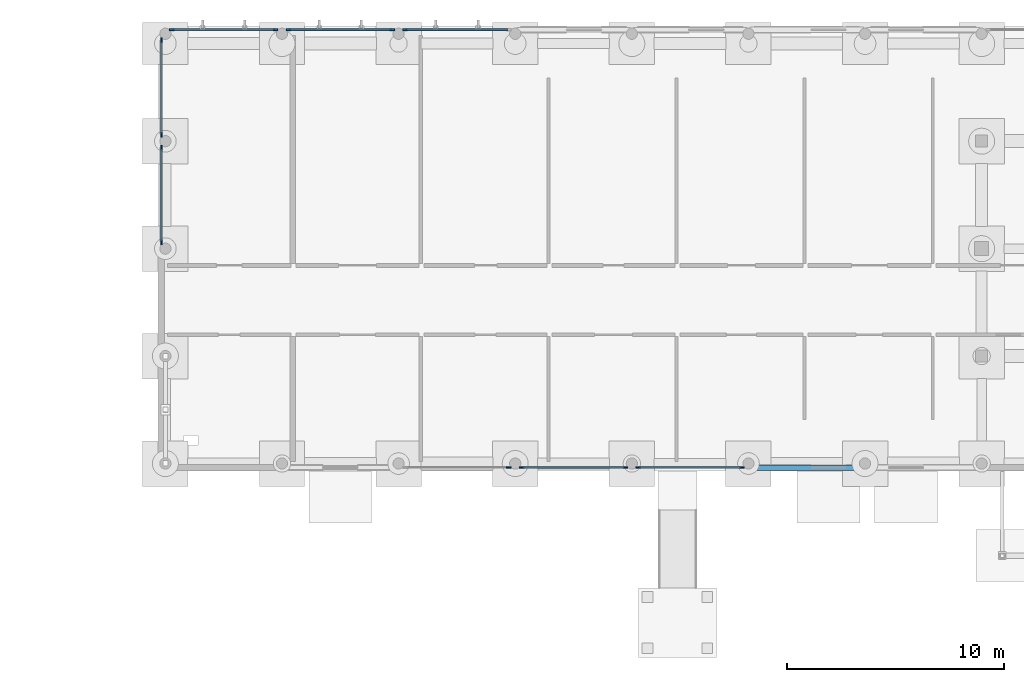
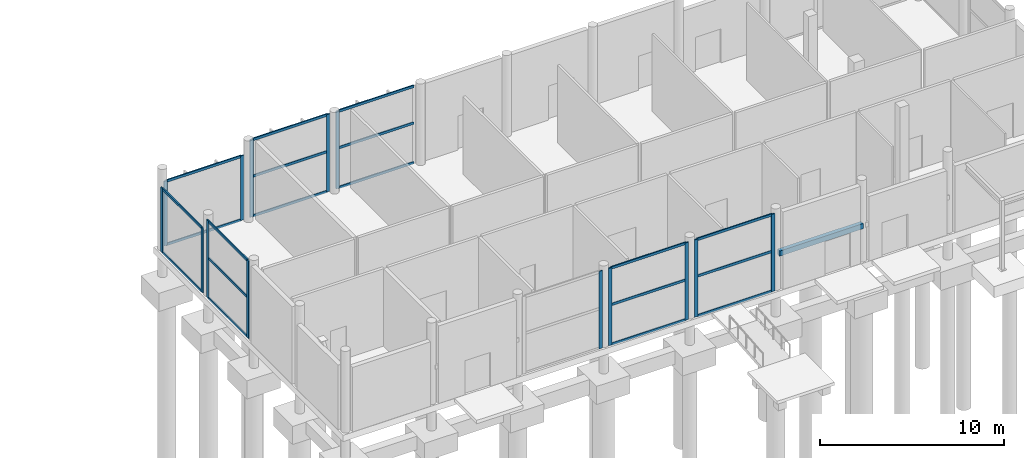
# One storey, part 35 of 88: 33 members, 1 beam, 8 elements without a shape of their own.
"""IFC4 building model written with IfcOpenShell, lengths in metres."""

from ifc_helpers import new_model, si_unit, direction, frame, origin, origin_2d, place, context, subcontext, project, spatial, rectangle, extrude, material, layer, layer_set, material_profile, profile_set, type_object, element, aggregate, save


model = new_model("IFC4")

# Units and contexts
model_context = context("Model", 3, precision=1e-05, world=origin(), true_north=direction((0.0, 1.0)))
body_context = subcontext(model_context, "Body", "Model", "MODEL_VIEW")
ifc_project = project(units=[si_unit("LENGTHUNIT", "METRE"), si_unit("AREAUNIT", "SQUARE_METRE"), si_unit("VOLUMEUNIT", "CUBIC_METRE"), si_unit("PLANEANGLEUNIT", "RADIAN"), si_unit("MASSUNIT", "GRAM", prefix="KILO")], contexts=[model_context])

# Site, building, storey
site_placement = place(None, origin())
site = spatial("IfcSite", under=ifc_project, at=site_placement, CompositionType="ELEMENT")
building_placement = place(site_placement, origin())
building = spatial("IfcBuilding", under=site, at=building_placement, Name="Birchvale Park Specialist Clinic", CompositionType="ELEMENT")
storey_placement = place(building_placement, origin())
storey = spatial("IfcBuildingStorey", under=building, at=storey_placement, Name="L00", CompositionType="ELEMENT", Elevation=0.0)

# Curtain wall, member
ifc_material_1 = material(Name="Thermally broken anodised aluminium", Category="aluminium")
ifc_layer = layer(ifc_material_1, 0.1650390625)
ifc_layer_set = layer_set([ifc_layer], Name="Thermally broken anodised aluminium")
curtain_wall_type = type_object("IfcCurtainWallType", Name="CW-S1", PredefinedType="USERDEFINED", material=ifc_layer_set)
curtain_wall_1_placement = place(storey_placement, origin())
curtain_wall_1 = element("IfcCurtainWall", 1, at=curtain_wall_1_placement, inside=storey, type_object=curtain_wall_type, Name="V3 L00 glazed curtain wall 33", ObjectType="STICK", PredefinedType="USERDEFINED")
ifc_material_profile_1 = material_profile(ifc_material_1, rectangle(XDim=0.074951171875, YDim=0.219970703125, at=origin_2d()), Name="CWM-75x220")
ifc_profile_set_1 = profile_set([ifc_material_profile_1], Name="Thermally broken anodised aluminium")
member_type_1 = type_object("IfcMemberType", Name="CWM4", PredefinedType="MULLION", material=ifc_profile_set_1)
member_1_placement = place(storey_placement, frame((68.009521484375, 91.364990234375, 0.0), z_axis=(0.0, 0.0, 1.0), x_axis=(0.0, 1.0, 0.0)))
member_1 = element("IfcMember", 2, at=member_1_placement, type_object=member_type_1, Name="CW mullion 2", PredefinedType="MULLION", context=body_context, shape_type="SweptSolid", body=[
    extrude(rectangle(XDim=0.074951171875, YDim=0.219970703125, at=origin_2d()), origin(), (0.0, 0.0, 1.0), 5.125),
])
aggregate(curtain_wall_1, [member_1])

# Curtain wall, members
curtain_wall_2_placement = place(storey_placement, origin())
curtain_wall_2 = element("IfcCurtainWall", 3, at=curtain_wall_2_placement, inside=storey, type_object=curtain_wall_type, Name="V3 L00 glazed curtain wall 34", ObjectType="STICK", PredefinedType="USERDEFINED")
member_2_placement = place(storey_placement, frame((68.6044921875, 91.364990234375, 0.0), z_axis=(0.0, 0.0, 1.0), x_axis=(0.0, 1.0, 0.0)))
member_2 = element("IfcMember", 4, at=member_2_placement, type_object=member_type_1, Name="CW mullion 1", PredefinedType="MULLION", context=body_context, shape_type="SweptSolid", body=[
    extrude(rectangle(XDim=0.074951171875, YDim=0.219970703125, at=origin_2d()), origin(), (0.0, 0.0, 1.0), 5.125),
])
member_3_placement = place(storey_placement, frame((73.3955078125, 91.364990234375, 0.0), z_axis=(0.0, 0.0, 1.0), x_axis=(0.0, 1.0, 0.0)))
member_3 = element("IfcMember", 5, at=member_3_placement, type_object=member_type_1, Name="CW mullion 2", PredefinedType="MULLION", context=body_context, shape_type="SweptSolid", body=[
    extrude(rectangle(XDim=0.074951171875, YDim=0.219970703125, at=origin_2d()), origin(), (0.0, 0.0, 1.0), 5.125),
])

curtain_wall_3_placement = place(storey_placement, origin())
curtain_wall_3 = element("IfcCurtainWall", 6, at=curtain_wall_3_placement, inside=storey, type_object=curtain_wall_type, Name="V3 L00 glazed curtain wall 35", ObjectType="STICK", PredefinedType="USERDEFINED")
member_4_placement = place(storey_placement, frame((73.990478515625, 91.364990234375, 0.0), z_axis=(0.0, 0.0, 1.0), x_axis=(0.0, 1.0, 0.0)))
member_4 = element("IfcMember", 7, at=member_4_placement, type_object=member_type_1, Name="CW mullion 1", PredefinedType="MULLION", context=body_context, shape_type="SweptSolid", body=[
    extrude(rectangle(XDim=0.074951171875, YDim=0.219970703125, at=origin_2d()), origin(), (0.0, 0.0, 1.0), 5.125),
])
member_5_placement = place(storey_placement, frame((78.781005859375, 91.364990234375, 0.0), z_axis=(0.0, 0.0, 1.0), x_axis=(0.0, 1.0, 0.0)))
member_5 = element("IfcMember", 8, at=member_5_placement, type_object=member_type_1, Name="CW mullion 2", PredefinedType="MULLION", context=body_context, shape_type="SweptSolid", body=[
    extrude(rectangle(XDim=0.074951171875, YDim=0.219970703125, at=origin_2d()), origin(), (0.0, 0.0, 1.0), 5.125),
])

# Curtain wall, member
curtain_wall_4_placement = place(storey_placement, origin())
curtain_wall_4 = element("IfcCurtainWall", 9, at=curtain_wall_4_placement, inside=storey, type_object=curtain_wall_type, Name="V3 L00 glazed curtain wall 39", ObjectType="STICK", PredefinedType="USERDEFINED")
member_6_placement = place(storey_placement, frame((63.218994140625, 111.5849609375, 0.0), z_axis=(0.0, 0.0, 1.0), x_axis=(0.0, -1.0, 0.0)))
member_6 = element("IfcMember", 10, at=member_6_placement, type_object=member_type_1, Name="CW mullion 2", PredefinedType="MULLION", context=body_context, shape_type="SweptSolid", body=[
    extrude(rectangle(XDim=0.074951171875, YDim=0.219970703125, at=origin_2d()), origin(), (0.0, 0.0, 1.0), 5.125),
])

# Curtain wall, members
curtain_wall_5_placement = place(storey_placement, origin())
curtain_wall_5 = element("IfcCurtainWall", 11, at=curtain_wall_5_placement, inside=storey, type_object=curtain_wall_type, Name="V3 L00 glazed curtain wall 40", ObjectType="STICK", PredefinedType="USERDEFINED")
member_7_placement = place(storey_placement, frame((62.623779296875, 111.5849609375, 0.0), z_axis=(0.0, 0.0, 1.0), x_axis=(0.0, -1.0, 0.0)))
member_7 = element("IfcMember", 12, at=member_7_placement, type_object=member_type_1, Name="CW mullion 1", PredefinedType="MULLION", context=body_context, shape_type="SweptSolid", body=[
    extrude(rectangle(XDim=0.074951171875, YDim=0.219970703125, at=origin_2d()), origin(), (0.0, 0.0, 1.0), 5.125),
])
member_8_placement = place(storey_placement, frame((57.833251953125, 111.5849609375, 0.0), z_axis=(0.0, 0.0, 1.0), x_axis=(0.0, -1.0, 0.0)))
member_8 = element("IfcMember", 13, at=member_8_placement, type_object=member_type_1, Name="CW mullion 2", PredefinedType="MULLION", context=body_context, shape_type="SweptSolid", body=[
    extrude(rectangle(XDim=0.074951171875, YDim=0.219970703125, at=origin_2d()), origin(), (0.0, 0.0, 1.0), 5.125),
])

curtain_wall_6_placement = place(storey_placement, origin())
curtain_wall_6 = element("IfcCurtainWall", 14, at=curtain_wall_6_placement, inside=storey, type_object=curtain_wall_type, Name="V3 L00 glazed curtain wall 41", ObjectType="STICK", PredefinedType="USERDEFINED")
member_9_placement = place(storey_placement, frame((57.23828125, 111.5849609375, 0.0), z_axis=(0.0, 0.0, 1.0), x_axis=(0.0, -1.0, 0.0)))
member_9 = element("IfcMember", 15, at=member_9_placement, type_object=member_type_1, Name="CW mullion 1", PredefinedType="MULLION", context=body_context, shape_type="SweptSolid", body=[
    extrude(rectangle(XDim=0.074951171875, YDim=0.219970703125, at=origin_2d()), origin(), (0.0, 0.0, 1.0), 4.264892578125),
])
member_10_placement = place(storey_placement, frame((52.447509765625, 111.5849609375, 0.0), z_axis=(0.0, 0.0, 1.0), x_axis=(0.0, -1.0, 0.0)))
member_10 = element("IfcMember", 16, at=member_10_placement, type_object=member_type_1, Name="CW mullion 2", PredefinedType="MULLION", context=body_context, shape_type="SweptSolid", body=[
    extrude(rectangle(XDim=0.074951171875, YDim=0.219970703125, at=origin_2d()), origin(), (0.0, 0.0, 1.0), 4.264892578125),
])

curtain_wall_7_placement = place(storey_placement, origin())
curtain_wall_7 = element("IfcCurtainWall", 17, at=curtain_wall_7_placement, inside=storey, type_object=curtain_wall_type, Name="V3 L00 glazed curtain wall 42", ObjectType="STICK", PredefinedType="USERDEFINED")
member_11_placement = place(storey_placement, frame((51.965087890625, 111.1025390625, 0.0), z_axis=(0.0, 0.0, 1.0), x_axis=(1.0, 0.0, 0.0)))
member_11 = element("IfcMember", 18, at=member_11_placement, type_object=member_type_1, Name="CW mullion 1", PredefinedType="MULLION", context=body_context, shape_type="SweptSolid", body=[
    extrude(rectangle(XDim=0.074951171875, YDim=0.219970703125, at=origin_2d()), origin(), (0.0, 0.0, 1.0), 4.264892578125),
])
member_12_placement = place(storey_placement, frame((51.965087890625, 106.735107421875, 0.0), z_axis=(0.0, 0.0, 1.0), x_axis=(1.0, 0.0, 0.0)))
member_12 = element("IfcMember", 19, at=member_12_placement, type_object=member_type_1, Name="CW mullion 2", PredefinedType="MULLION", context=body_context, shape_type="SweptSolid", body=[
    extrude(rectangle(XDim=0.074951171875, YDim=0.219970703125, at=origin_2d()), origin(), (0.0, 0.0, 1.0), 4.264892578125),
])

curtain_wall_8_placement = place(storey_placement, origin())
curtain_wall_8 = element("IfcCurtainWall", 20, at=curtain_wall_8_placement, inside=storey, type_object=curtain_wall_type, Name="V3 L00 glazed curtain wall 43", ObjectType="STICK", PredefinedType="USERDEFINED")
member_13_placement = place(storey_placement, frame((51.965087890625, 106.139892578125, 0.0), z_axis=(0.0, 0.0, 1.0), x_axis=(1.0, 0.0, 0.0)))
member_13 = element("IfcMember", 21, at=member_13_placement, type_object=member_type_1, Name="CW mullion 1", PredefinedType="MULLION", context=body_context, shape_type="SweptSolid", body=[
    extrude(rectangle(XDim=0.074951171875, YDim=0.219970703125, at=origin_2d()), origin(), (0.0, 0.0, 1.0), 5.125),
])
member_14_placement = place(storey_placement, frame((51.965087890625, 101.7724609375, 0.0), z_axis=(0.0, 0.0, 1.0), x_axis=(1.0, 0.0, 0.0)))
member_14 = element("IfcMember", 22, at=member_14_placement, type_object=member_type_1, Name="CW mullion 2", PredefinedType="MULLION", context=body_context, shape_type="SweptSolid", body=[
    extrude(rectangle(XDim=0.074951171875, YDim=0.219970703125, at=origin_2d()), origin(), (0.0, 0.0, 1.0), 5.125),
])

# Member
ifc_material_profile_2 = material_profile(ifc_material_1, rectangle(XDim=0.074951171875, YDim=0.1650390625, at=origin_2d()), Name="CWT-75x165")
ifc_profile_set_2 = profile_set([ifc_material_profile_2], Name="Thermally broken anodised aluminium")
member_type_2 = type_object("IfcMemberType", Name="CWT4", PredefinedType="USERDEFINED", material=ifc_profile_set_2)
member_15_placement = place(storey_placement, frame((68.64208984375, 91.364990234375, 0.03759765625), z_axis=(1.0, 0.0, 0.0), x_axis=(0.0, 1.0, 0.0)))
member_15 = element("IfcMember", 23, at=member_15_placement, type_object=member_type_2, Name="CW transom 1.1", ObjectType="TRANSOM", PredefinedType="USERDEFINED", context=body_context, shape_type="SweptSolid", body=[
    extrude(rectangle(XDim=0.074951171875, YDim=0.1650390625, at=origin_2d()), origin(), (0.0, 0.0, 1.0), 4.7158203125),
])

member_16_placement = place(storey_placement, frame((68.64208984375, 91.364990234375, 2.6650390625), z_axis=(1.0, 0.0, 0.0), x_axis=(0.0, 1.0, 0.0)))
member_16 = element("IfcMember", 24, at=member_16_placement, type_object=member_type_2, Name="CW transom 1.2", ObjectType="TRANSOM", PredefinedType="USERDEFINED", context=body_context, shape_type="SweptSolid", body=[
    extrude(rectangle(XDim=0.074951171875, YDim=0.1650390625, at=origin_2d()), origin(), (0.0, 0.0, 1.0), 4.7158203125),
])

member_17_placement = place(storey_placement, frame((68.64208984375, 91.364990234375, 5.08740234375), z_axis=(1.0, 0.0, 0.0), x_axis=(0.0, 1.0, 0.0)))
member_17 = element("IfcMember", 25, at=member_17_placement, type_object=member_type_2, Name="CW transom 1.3", ObjectType="TRANSOM", PredefinedType="USERDEFINED", context=body_context, shape_type="SweptSolid", body=[
    extrude(rectangle(XDim=0.074951171875, YDim=0.1650390625, at=origin_2d()), origin(), (0.0, 0.0, 1.0), 4.7158203125),
])

aggregate(curtain_wall_2, [member_2, member_3, member_15, member_16, member_17])

member_18_placement = place(storey_placement, frame((74.02783203125, 91.364990234375, 0.03759765625), z_axis=(1.0, 0.0, 0.0), x_axis=(0.0, 1.0, 0.0)))
member_18 = element("IfcMember", 26, at=member_18_placement, type_object=member_type_2, Name="CW transom 1.1", ObjectType="TRANSOM", PredefinedType="USERDEFINED", context=body_context, shape_type="SweptSolid", body=[
    extrude(rectangle(XDim=0.074951171875, YDim=0.1650390625, at=origin_2d()), origin(), (0.0, 0.0, 1.0), 4.7158203125),
])

member_19_placement = place(storey_placement, frame((74.02783203125, 91.364990234375, 2.6650390625), z_axis=(1.0, 0.0, 0.0), x_axis=(0.0, 1.0, 0.0)))
member_19 = element("IfcMember", 27, at=member_19_placement, type_object=member_type_2, Name="CW transom 1.2", ObjectType="TRANSOM", PredefinedType="USERDEFINED", context=body_context, shape_type="SweptSolid", body=[
    extrude(rectangle(XDim=0.074951171875, YDim=0.1650390625, at=origin_2d()), origin(), (0.0, 0.0, 1.0), 4.7158203125),
])

member_20_placement = place(storey_placement, frame((74.02783203125, 91.364990234375, 5.08740234375), z_axis=(1.0, 0.0, 0.0), x_axis=(0.0, 1.0, 0.0)))
member_20 = element("IfcMember", 28, at=member_20_placement, type_object=member_type_2, Name="CW transom 1.3", ObjectType="TRANSOM", PredefinedType="USERDEFINED", context=body_context, shape_type="SweptSolid", body=[
    extrude(rectangle(XDim=0.074951171875, YDim=0.1650390625, at=origin_2d()), origin(), (0.0, 0.0, 1.0), 4.7158203125),
])

aggregate(curtain_wall_3, [member_4, member_5, member_18, member_19, member_20])

member_21_placement = place(storey_placement, frame((67.97216796875, 111.5849609375, 0.03759765625), z_axis=(-1.0, 0.0, 0.0), x_axis=(0.0, -1.0, 0.0)))
member_21 = element("IfcMember", 29, at=member_21_placement, type_object=member_type_2, Name="CW transom 1.1", ObjectType="TRANSOM", PredefinedType="USERDEFINED", context=body_context, shape_type="SweptSolid", body=[
    extrude(rectangle(XDim=0.074951171875, YDim=0.1650390625, at=origin_2d()), origin(), (0.0, 0.0, 1.0), 4.7158203125),
])

member_22_placement = place(storey_placement, frame((67.97216796875, 111.5849609375, 2.6650390625), z_axis=(-1.0, 0.0, 0.0), x_axis=(0.0, -1.0, 0.0)))
member_22 = element("IfcMember", 30, at=member_22_placement, type_object=member_type_2, Name="CW transom 1.2", ObjectType="TRANSOM", PredefinedType="USERDEFINED", context=body_context, shape_type="SweptSolid", body=[
    extrude(rectangle(XDim=0.074951171875, YDim=0.1650390625, at=origin_2d()), origin(), (0.0, 0.0, 1.0), 4.7158203125),
])

member_23_placement = place(storey_placement, frame((67.97216796875, 111.5849609375, 5.08740234375), z_axis=(-1.0, 0.0, 0.0), x_axis=(0.0, -1.0, 0.0)))
member_23 = element("IfcMember", 31, at=member_23_placement, type_object=member_type_2, Name="CW transom 1.3", ObjectType="TRANSOM", PredefinedType="USERDEFINED", context=body_context, shape_type="SweptSolid", body=[
    extrude(rectangle(XDim=0.074951171875, YDim=0.1650390625, at=origin_2d()), origin(), (0.0, 0.0, 1.0), 4.7158203125),
])

aggregate(curtain_wall_4, [member_6, member_21, member_22, member_23])

member_24_placement = place(storey_placement, frame((62.58642578125, 111.5849609375, 0.03759765625), z_axis=(-1.0, 0.0, 0.0), x_axis=(0.0, -1.0, 0.0)))
member_24 = element("IfcMember", 32, at=member_24_placement, type_object=member_type_2, Name="CW transom 1.1", ObjectType="TRANSOM", PredefinedType="USERDEFINED", context=body_context, shape_type="SweptSolid", body=[
    extrude(rectangle(XDim=0.074951171875, YDim=0.1650390625, at=origin_2d()), origin(), (0.0, 0.0, 1.0), 4.7158203125),
])

member_25_placement = place(storey_placement, frame((62.58642578125, 111.5849609375, 2.6650390625), z_axis=(-1.0, 0.0, 0.0), x_axis=(0.0, -1.0, 0.0)))
member_25 = element("IfcMember", 33, at=member_25_placement, type_object=member_type_2, Name="CW transom 1.2", ObjectType="TRANSOM", PredefinedType="USERDEFINED", context=body_context, shape_type="SweptSolid", body=[
    extrude(rectangle(XDim=0.074951171875, YDim=0.1650390625, at=origin_2d()), origin(), (0.0, 0.0, 1.0), 4.7158203125),
])

member_26_placement = place(storey_placement, frame((62.58642578125, 111.5849609375, 5.08740234375), z_axis=(-1.0, 0.0, 0.0), x_axis=(0.0, -1.0, 0.0)))
member_26 = element("IfcMember", 34, at=member_26_placement, type_object=member_type_2, Name="CW transom 1.3", ObjectType="TRANSOM", PredefinedType="USERDEFINED", context=body_context, shape_type="SweptSolid", body=[
    extrude(rectangle(XDim=0.074951171875, YDim=0.1650390625, at=origin_2d()), origin(), (0.0, 0.0, 1.0), 4.7158203125),
])

aggregate(curtain_wall_5, [member_7, member_8, member_24, member_25, member_26])

member_27_placement = place(storey_placement, frame((57.20068359375, 111.5849609375, 0.03759765625), z_axis=(-1.0, 0.0, 0.0), x_axis=(0.0, -1.0, 0.0)))
member_27 = element("IfcMember", 35, at=member_27_placement, type_object=member_type_2, Name="CW transom 1.1", ObjectType="TRANSOM", PredefinedType="USERDEFINED", context=body_context, shape_type="SweptSolid", body=[
    extrude(rectangle(XDim=0.074951171875, YDim=0.1650390625, at=origin_2d()), origin(), (0.0, 0.0, 1.0), 4.715576171875),
])

member_28_placement = place(storey_placement, frame((57.20068359375, 111.5849609375, 4.2275390625), z_axis=(-1.0, 0.0, 0.0), x_axis=(0.0, -1.0, 0.0)))
member_28 = element("IfcMember", 36, at=member_28_placement, type_object=member_type_2, Name="CW transom 1.2", ObjectType="TRANSOM", PredefinedType="USERDEFINED", context=body_context, shape_type="SweptSolid", body=[
    extrude(rectangle(XDim=0.074951171875, YDim=0.1650390625, at=origin_2d()), origin(), (0.0, 0.0, 1.0), 4.715576171875),
])

aggregate(curtain_wall_6, [member_9, member_10, member_27, member_28])

member_29_placement = place(storey_placement, frame((51.965087890625, 111.06494140625, 0.03759765625), z_axis=(0.0, -1.0, 0.0), x_axis=(1.0, 0.0, 0.0)))
member_29 = element("IfcMember", 37, at=member_29_placement, type_object=member_type_2, Name="CW transom 1.1", ObjectType="TRANSOM", PredefinedType="USERDEFINED", context=body_context, shape_type="SweptSolid", body=[
    extrude(rectangle(XDim=0.074951171875, YDim=0.1650390625, at=origin_2d()), origin(), (0.0, 0.0, 1.0), 4.29248046875),
])

member_30_placement = place(storey_placement, frame((51.965087890625, 111.06494140625, 4.2275390625), z_axis=(0.0, -1.0, 0.0), x_axis=(1.0, 0.0, 0.0)))
member_30 = element("IfcMember", 38, at=member_30_placement, type_object=member_type_2, Name="CW transom 1.2", ObjectType="TRANSOM", PredefinedType="USERDEFINED", context=body_context, shape_type="SweptSolid", body=[
    extrude(rectangle(XDim=0.074951171875, YDim=0.1650390625, at=origin_2d()), origin(), (0.0, 0.0, 1.0), 4.29248046875),
])

aggregate(curtain_wall_7, [member_11, member_12, member_29, member_30])

member_31_placement = place(storey_placement, frame((51.965087890625, 106.1025390625, 0.03759765625), z_axis=(0.0, -1.0, 0.0), x_axis=(1.0, 0.0, 0.0)))
member_31 = element("IfcMember", 39, at=member_31_placement, type_object=member_type_2, Name="CW transom 1.1", ObjectType="TRANSOM", PredefinedType="USERDEFINED", context=body_context, shape_type="SweptSolid", body=[
    extrude(rectangle(XDim=0.074951171875, YDim=0.1650390625, at=origin_2d()), origin(), (0.0, 0.0, 1.0), 4.29248046875),
])

member_32_placement = place(storey_placement, frame((51.965087890625, 106.1025390625, 2.6650390625), z_axis=(0.0, -1.0, 0.0), x_axis=(1.0, 0.0, 0.0)))
member_32 = element("IfcMember", 40, at=member_32_placement, type_object=member_type_2, Name="CW transom 1.2", ObjectType="TRANSOM", PredefinedType="USERDEFINED", context=body_context, shape_type="SweptSolid", body=[
    extrude(rectangle(XDim=0.074951171875, YDim=0.1650390625, at=origin_2d()), origin(), (0.0, 0.0, 1.0), 4.29248046875),
])

member_33_placement = place(storey_placement, frame((51.965087890625, 106.1025390625, 5.08740234375), z_axis=(0.0, -1.0, 0.0), x_axis=(1.0, 0.0, 0.0)))
member_33 = element("IfcMember", 41, at=member_33_placement, type_object=member_type_2, Name="CW transom 1.3", ObjectType="TRANSOM", PredefinedType="USERDEFINED", context=body_context, shape_type="SweptSolid", body=[
    extrude(rectangle(XDim=0.074951171875, YDim=0.1650390625, at=origin_2d()), origin(), (0.0, 0.0, 1.0), 4.29248046875),
])

aggregate(curtain_wall_8, [member_13, member_14, member_31, member_32, member_33])

# Beam
ifc_material_2 = material(Name="Concrete C40/50", Category="concrete")
ifc_material_profile_3 = material_profile(ifc_material_2, rectangle(XDim=0.25, YDim=0.340087890625, at=origin_2d()), Name="LNT-250x340")
ifc_profile_set_3 = profile_set([ifc_material_profile_3], Name="Concrete C40/50")
beam_type = type_object("IfcBeamType", Name="LNT-EXT-LN1", PredefinedType="LINTEL", material=ifc_profile_set_3)
beam_placement = place(storey_placement, frame((79.153564453125, 91.364990234375, 2.419921875), z_axis=(1.0, 0.0, 0.0), x_axis=(0.0, 1.0, 0.0)))
element("IfcBeam", 42, at=beam_placement, inside=storey, type_object=beam_type, Name="V3 L00 exit opening lintel 10", PredefinedType="LINTEL", context=body_context, shape_type="SweptSolid", body=[
    extrude(rectangle(XDim=0.25, YDim=0.340087890625, at=origin_2d()), origin(), (0.0, 0.0, 1.0), 5.23583984375),
])

save(model, "model.ifc")
